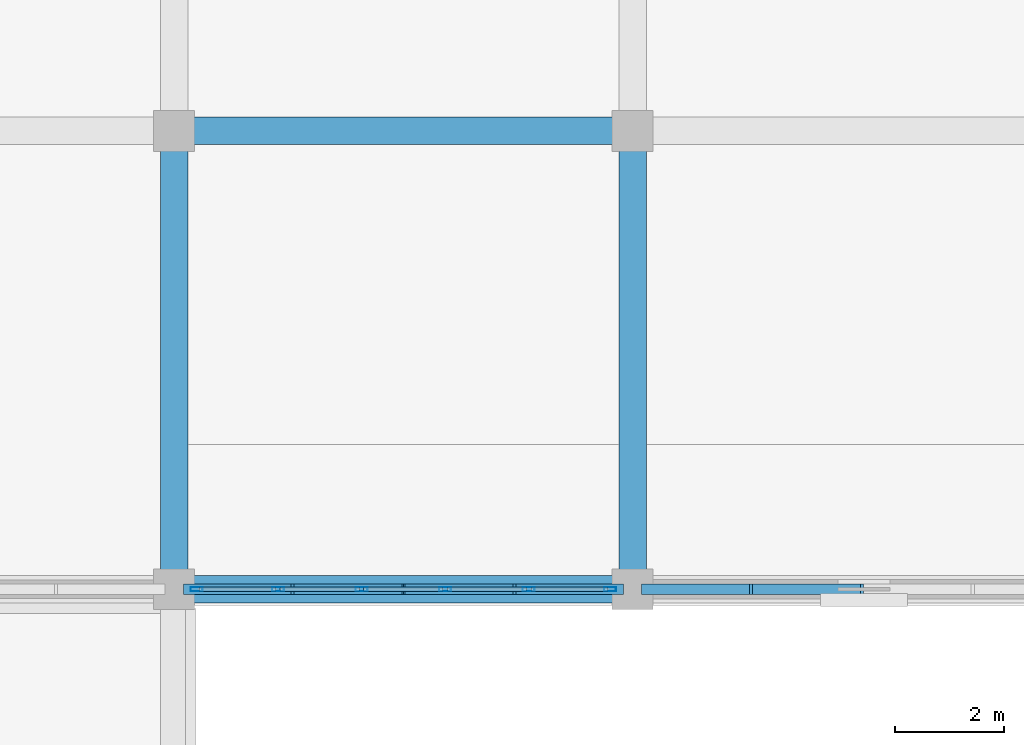
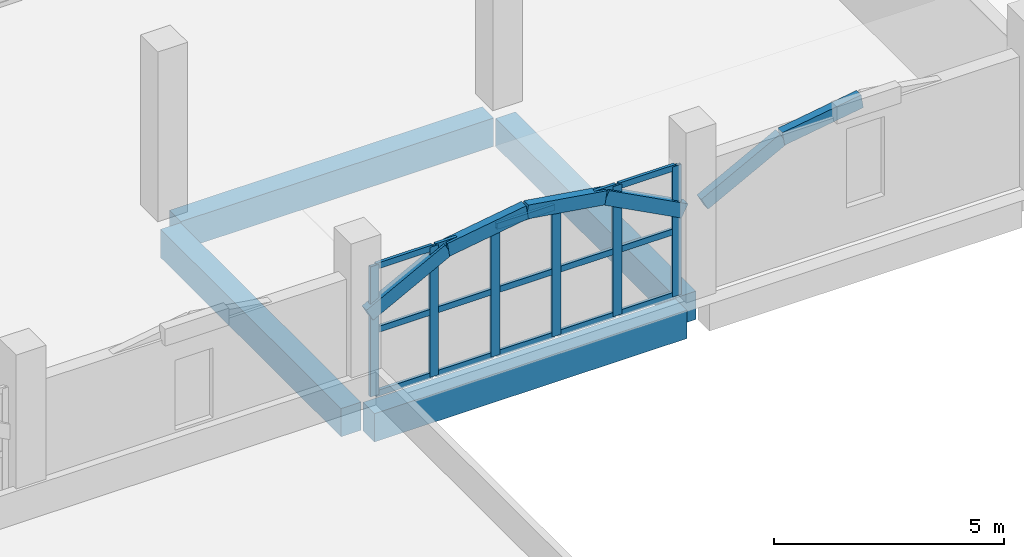
# One storey, part 48 of 114: 27 members, 4 beams, 1 element without a shape of its own.
"""IFC4 building model written with IfcOpenShell, lengths in metres."""

from ifc_helpers import new_model, si_unit, direction, frame, origin, origin_2d, place, context, subcontext, project, spatial, rectangle, hollow_rectangle, extrude, material, layer, layer_set, material_profile, profile_set, type_object, element, aggregate, save


model = new_model("IFC4")

# Units and contexts
model_context = context("Model", 3, precision=1e-05, world=origin(), true_north=direction((0.0, 1.0)))
body_context = subcontext(model_context, "Body", "Model", "MODEL_VIEW")
ifc_project = project(units=[si_unit("LENGTHUNIT", "METRE"), si_unit("AREAUNIT", "SQUARE_METRE"), si_unit("VOLUMEUNIT", "CUBIC_METRE"), si_unit("PLANEANGLEUNIT", "RADIAN"), si_unit("MASSUNIT", "GRAM", prefix="KILO")], contexts=[model_context])

# Site, building, storey
site_placement = place(None, origin())
site = spatial("IfcSite", under=ifc_project, at=site_placement, CompositionType="ELEMENT")
building_placement = place(site_placement, origin())
building = spatial("IfcBuilding", under=site, at=building_placement, Name="Xazarin Passage Department Store", CompositionType="ELEMENT")
storey_placement = place(building_placement, frame((0.0, 0.0, 14.39990234375)))
storey = spatial("IfcBuildingStorey", under=building, at=storey_placement, Name="L03", CompositionType="ELEMENT", Elevation=14.39990234375)

# Curtain wall, members
ifc_material_1 = material(Name="Bronze anodised aluminium", Category="aluminium")
ifc_layer = layer(ifc_material_1, 0.199951171875)
ifc_layer_set = layer_set([ifc_layer], Name="Bronze anodised aluminium")
curtain_wall_type = type_object("IfcCurtainWallType", Name="ARC-CW-VIT2", PredefinedType="NOTDEFINED", material=ifc_layer_set)
curtain_wall_placement = place(storey_placement, origin())
curtain_wall = element("IfcCurtainWall", 1, at=curtain_wall_placement, inside=storey, type_object=curtain_wall_type, Name="L03 V1 Curtain Wall 058", PredefinedType="NOTDEFINED")
ifc_material_profile_1 = material_profile(ifc_material_1, hollow_rectangle(XDim=0.074951171875, YDim=0.219970703125, WallThickness=0.0048828125, at=origin_2d()), Name="ALU 75x220")
ifc_profile_set_1 = profile_set([ifc_material_profile_1], Name="Bronze anodised aluminium")
member_type_1 = type_object("IfcMemberType", Name="ARC-CWM-75x220", PredefinedType="MULLION", material=ifc_profile_set_1)
member_1_placement = place(storey_placement, frame((50.8125, 68.0, 0.0), z_axis=(0.0, 0.0, 1.0), x_axis=(0.0, 1.0, 0.0)))
member_1 = element("IfcMember", 2, at=member_1_placement, type_object=member_type_1, Name="CW2 mullion 1", PredefinedType="MULLION", context=body_context, shape_type="SweptSolid", body=[
    extrude(hollow_rectangle(XDim=0.074951171875, YDim=0.219970703125, WallThickness=0.0048828125, at=origin_2d()), origin(), (0.0, 0.0, 1.0), 3.4501953125),
])
member_2_placement = place(storey_placement, frame((52.304931640625, 68.0, 0.0), z_axis=(0.0, 0.0, 1.0), x_axis=(0.0, 1.0, 0.0)))
member_2 = element("IfcMember", 3, at=member_2_placement, type_object=member_type_1, Name="CW2 mullion 2", PredefinedType="MULLION", context=body_context, shape_type="SweptSolid", body=[
    extrude(hollow_rectangle(XDim=0.074951171875, YDim=0.219970703125, WallThickness=0.0048828125, at=origin_2d()), origin(), (0.0, 0.0, 1.0), 3.4501953125),
])
member_3_placement = place(storey_placement, frame((53.8349609375, 68.0, 0.0), z_axis=(0.0, 0.0, 1.0), x_axis=(0.0, 1.0, 0.0)))
member_3 = element("IfcMember", 4, at=member_3_placement, type_object=member_type_1, Name="CW2 mullion 3", PredefinedType="MULLION", context=body_context, shape_type="SweptSolid", body=[
    extrude(hollow_rectangle(XDim=0.074951171875, YDim=0.219970703125, WallThickness=0.0048828125, at=origin_2d()), origin(), (0.0, 0.0, 1.0), 3.4501953125),
])
member_4_placement = place(storey_placement, frame((55.364990234375, 68.0, 0.0), z_axis=(0.0, 0.0, 1.0), x_axis=(0.0, 1.0, 0.0)))
member_4 = element("IfcMember", 5, at=member_4_placement, type_object=member_type_1, Name="CW2 mullion 4", PredefinedType="MULLION", context=body_context, shape_type="SweptSolid", body=[
    extrude(hollow_rectangle(XDim=0.074951171875, YDim=0.219970703125, WallThickness=0.0048828125, at=origin_2d()), origin(), (0.0, 0.0, 1.0), 3.4501953125),
])
member_5_placement = place(storey_placement, frame((56.89501953125, 68.0, 0.0), z_axis=(0.0, 0.0, 1.0), x_axis=(0.0, 1.0, 0.0)))
member_5 = element("IfcMember", 6, at=member_5_placement, type_object=member_type_1, Name="CW2 mullion 5", PredefinedType="MULLION", context=body_context, shape_type="SweptSolid", body=[
    extrude(hollow_rectangle(XDim=0.074951171875, YDim=0.219970703125, WallThickness=0.0048828125, at=origin_2d()), origin(), (0.0, 0.0, 1.0), 3.4501953125),
])
member_6_placement = place(storey_placement, frame((58.387451171875, 68.0, 0.0), z_axis=(0.0, 0.0, 1.0), x_axis=(0.0, 1.0, 0.0)))
member_6 = element("IfcMember", 7, at=member_6_placement, type_object=member_type_1, Name="CW2 mullion 6", PredefinedType="MULLION", context=body_context, shape_type="SweptSolid", body=[
    extrude(hollow_rectangle(XDim=0.074951171875, YDim=0.219970703125, WallThickness=0.0048828125, at=origin_2d()), origin(), (0.0, 0.0, 1.0), 3.4501953125),
])
ifc_material_profile_2 = material_profile(ifc_material_1, hollow_rectangle(XDim=0.074951171875, YDim=0.159912109375, WallThickness=0.00439453125, at=origin_2d()), Name="ALU 75x160")
ifc_profile_set_2 = profile_set([ifc_material_profile_2], Name="Bronze anodised aluminium")
member_type_2 = type_object("IfcMemberType", Name="ARC-CWT-75x160", PredefinedType="USERDEFINED", material=ifc_profile_set_2)
member_7_placement = place(storey_placement, frame((50.85009765625, 68.0, 0.03759765625), z_axis=(1.0, 0.0, 0.0), x_axis=(0.0, 1.0, 0.0)))
member_7 = element("IfcMember", 8, at=member_7_placement, type_object=member_type_2, Name="CW2 transom 1.1", ObjectType="TRANSOM", PredefinedType="USERDEFINED", context=body_context, shape_type="SweptSolid", body=[
    extrude(hollow_rectangle(XDim=0.074951171875, YDim=0.159912109375, WallThickness=0.00439453125, at=origin_2d()), origin(), (0.0, 0.0, 1.0), 1.41748046875),
])
member_8_placement = place(storey_placement, frame((50.85009765625, 68.0, 1.72509765625), z_axis=(1.0, 0.0, 0.0), x_axis=(0.0, 1.0, 0.0)))
member_8 = element("IfcMember", 9, at=member_8_placement, type_object=member_type_2, Name="CW2 transom 1.2", ObjectType="TRANSOM", PredefinedType="USERDEFINED", context=body_context, shape_type="SweptSolid", body=[
    extrude(hollow_rectangle(XDim=0.074951171875, YDim=0.159912109375, WallThickness=0.00439453125, at=origin_2d()), origin(), (0.0, 0.0, 1.0), 1.41748046875),
])
member_9_placement = place(storey_placement, frame((50.85009765625, 68.0, 3.41259765625), z_axis=(1.0, 0.0, 0.0), x_axis=(0.0, 1.0, 0.0)))
member_9 = element("IfcMember", 10, at=member_9_placement, type_object=member_type_2, Name="CW2 transom 1.3", ObjectType="TRANSOM", PredefinedType="USERDEFINED", context=body_context, shape_type="SweptSolid", body=[
    extrude(hollow_rectangle(XDim=0.074951171875, YDim=0.159912109375, WallThickness=0.00439453125, at=origin_2d()), origin(), (0.0, 0.0, 1.0), 1.41748046875),
])
member_10_placement = place(storey_placement, frame((52.342529296875, 68.0, 0.03759765625), z_axis=(1.0, 0.0, 0.0), x_axis=(0.0, 1.0, 0.0)))
member_10 = element("IfcMember", 11, at=member_10_placement, type_object=member_type_2, Name="CW2 transom 2.1", ObjectType="TRANSOM", PredefinedType="USERDEFINED", context=body_context, shape_type="SweptSolid", body=[
    extrude(hollow_rectangle(XDim=0.074951171875, YDim=0.159912109375, WallThickness=0.00439453125, at=origin_2d()), origin(), (0.0, 0.0, 1.0), 1.455078125),
])
member_11_placement = place(storey_placement, frame((52.342529296875, 68.0, 1.72509765625), z_axis=(1.0, 0.0, 0.0), x_axis=(0.0, 1.0, 0.0)))
member_11 = element("IfcMember", 12, at=member_11_placement, type_object=member_type_2, Name="CW2 transom 2.2", ObjectType="TRANSOM", PredefinedType="USERDEFINED", context=body_context, shape_type="SweptSolid", body=[
    extrude(hollow_rectangle(XDim=0.074951171875, YDim=0.159912109375, WallThickness=0.00439453125, at=origin_2d()), origin(), (0.0, 0.0, 1.0), 1.455078125),
])
member_12_placement = place(storey_placement, frame((52.342529296875, 68.0, 3.41259765625), z_axis=(1.0, 0.0, 0.0), x_axis=(0.0, 1.0, 0.0)))
member_12 = element("IfcMember", 13, at=member_12_placement, type_object=member_type_2, Name="CW2 transom 2.3", ObjectType="TRANSOM", PredefinedType="USERDEFINED", context=body_context, shape_type="SweptSolid", body=[
    extrude(hollow_rectangle(XDim=0.074951171875, YDim=0.159912109375, WallThickness=0.00439453125, at=origin_2d()), origin(), (0.0, 0.0, 1.0), 1.455078125),
])
member_13_placement = place(storey_placement, frame((53.87255859375, 68.0, 0.03759765625), z_axis=(1.0, 0.0, 0.0), x_axis=(0.0, 1.0, 0.0)))
member_13 = element("IfcMember", 14, at=member_13_placement, type_object=member_type_2, Name="CW2 transom 3.1", ObjectType="TRANSOM", PredefinedType="USERDEFINED", context=body_context, shape_type="SweptSolid", body=[
    extrude(hollow_rectangle(XDim=0.074951171875, YDim=0.159912109375, WallThickness=0.00439453125, at=origin_2d()), origin(), (0.0, 0.0, 1.0), 1.454833984375),
])
member_14_placement = place(storey_placement, frame((53.87255859375, 68.0, 1.72509765625), z_axis=(1.0, 0.0, 0.0), x_axis=(0.0, 1.0, 0.0)))
member_14 = element("IfcMember", 15, at=member_14_placement, type_object=member_type_2, Name="CW2 transom 3.2", ObjectType="TRANSOM", PredefinedType="USERDEFINED", context=body_context, shape_type="SweptSolid", body=[
    extrude(hollow_rectangle(XDim=0.074951171875, YDim=0.159912109375, WallThickness=0.00439453125, at=origin_2d()), origin(), (0.0, 0.0, 1.0), 1.454833984375),
])
member_15_placement = place(storey_placement, frame((53.87255859375, 68.0, 3.41259765625), z_axis=(1.0, 0.0, 0.0), x_axis=(0.0, 1.0, 0.0)))
member_15 = element("IfcMember", 16, at=member_15_placement, type_object=member_type_2, Name="CW2 transom 3.3", ObjectType="TRANSOM", PredefinedType="USERDEFINED", context=body_context, shape_type="SweptSolid", body=[
    extrude(hollow_rectangle(XDim=0.074951171875, YDim=0.159912109375, WallThickness=0.00439453125, at=origin_2d()), origin(), (0.0, 0.0, 1.0), 1.454833984375),
])
member_16_placement = place(storey_placement, frame((55.402587890625, 68.0, 0.03759765625), z_axis=(1.0, 0.0, 0.0), x_axis=(0.0, 1.0, 0.0)))
member_16 = element("IfcMember", 17, at=member_16_placement, type_object=member_type_2, Name="CW2 transom 4.1", ObjectType="TRANSOM", PredefinedType="USERDEFINED", context=body_context, shape_type="SweptSolid", body=[
    extrude(hollow_rectangle(XDim=0.074951171875, YDim=0.159912109375, WallThickness=0.00439453125, at=origin_2d()), origin(), (0.0, 0.0, 1.0), 1.454833984375),
])
member_17_placement = place(storey_placement, frame((55.402587890625, 68.0, 1.72509765625), z_axis=(1.0, 0.0, 0.0), x_axis=(0.0, 1.0, 0.0)))
member_17 = element("IfcMember", 18, at=member_17_placement, type_object=member_type_2, Name="CW2 transom 4.2", ObjectType="TRANSOM", PredefinedType="USERDEFINED", context=body_context, shape_type="SweptSolid", body=[
    extrude(hollow_rectangle(XDim=0.074951171875, YDim=0.159912109375, WallThickness=0.00439453125, at=origin_2d()), origin(), (0.0, 0.0, 1.0), 1.454833984375),
])
member_18_placement = place(storey_placement, frame((55.402587890625, 68.0, 3.41259765625), z_axis=(1.0, 0.0, 0.0), x_axis=(0.0, 1.0, 0.0)))
member_18 = element("IfcMember", 19, at=member_18_placement, type_object=member_type_2, Name="CW2 transom 4.3", ObjectType="TRANSOM", PredefinedType="USERDEFINED", context=body_context, shape_type="SweptSolid", body=[
    extrude(hollow_rectangle(XDim=0.074951171875, YDim=0.159912109375, WallThickness=0.00439453125, at=origin_2d()), origin(), (0.0, 0.0, 1.0), 1.454833984375),
])
member_19_placement = place(storey_placement, frame((56.9326171875, 68.0, 0.03759765625), z_axis=(1.0, 0.0, 0.0), x_axis=(0.0, 1.0, 0.0)))
member_19 = element("IfcMember", 20, at=member_19_placement, type_object=member_type_2, Name="CW2 transom 5.1", ObjectType="TRANSOM", PredefinedType="USERDEFINED", context=body_context, shape_type="SweptSolid", body=[
    extrude(hollow_rectangle(XDim=0.074951171875, YDim=0.159912109375, WallThickness=0.00439453125, at=origin_2d()), origin(), (0.0, 0.0, 1.0), 1.41748046875),
])
member_20_placement = place(storey_placement, frame((56.9326171875, 68.0, 1.72509765625), z_axis=(1.0, 0.0, 0.0), x_axis=(0.0, 1.0, 0.0)))
member_20 = element("IfcMember", 21, at=member_20_placement, type_object=member_type_2, Name="CW2 transom 5.2", ObjectType="TRANSOM", PredefinedType="USERDEFINED", context=body_context, shape_type="SweptSolid", body=[
    extrude(hollow_rectangle(XDim=0.074951171875, YDim=0.159912109375, WallThickness=0.00439453125, at=origin_2d()), origin(), (0.0, 0.0, 1.0), 1.41748046875),
])
member_21_placement = place(storey_placement, frame((56.9326171875, 68.0, 3.41259765625), z_axis=(1.0, 0.0, 0.0), x_axis=(0.0, 1.0, 0.0)))
member_21 = element("IfcMember", 22, at=member_21_placement, type_object=member_type_2, Name="CW2 transom 5.3", ObjectType="TRANSOM", PredefinedType="USERDEFINED", context=body_context, shape_type="SweptSolid", body=[
    extrude(hollow_rectangle(XDim=0.074951171875, YDim=0.159912109375, WallThickness=0.00439453125, at=origin_2d()), origin(), (0.0, 0.0, 1.0), 1.41748046875),
])
aggregate(curtain_wall, [member_1, member_2, member_3, member_4, member_5, member_6, member_7, member_8, member_9, member_10, member_11, member_12, member_13, member_14, member_15, member_16, member_17, member_18, member_19, member_20, member_21])

# Beams
ifc_material_2 = material(Name="Concrete C35/45", Category="concrete")
ifc_material_profile_3 = material_profile(ifc_material_2, rectangle(XDim=0.5, YDim=0.75, at=origin_2d()), Name="RC 500x750")
ifc_profile_set_3 = profile_set([ifc_material_profile_3], Name="Concrete C35/45")
beam_type = type_object("IfcBeamType", Name="STR-BM-SP500x750", PredefinedType="SPANDREL", material=ifc_profile_set_3)
for number, where, z_axis, x_axis, name in (
    (23, (50.679931640625, 68.0, -0.6748046875), (1.0, 0.0, 0.0), (0.0, 1.0, 0.0), "L03 Grid Beam K/7-8"),
    (24, (50.679931640625, 76.39990234375, -0.6748046875), (1.0, 0.0, 0.0), (0.0, 1.0, 0.0), "L03 Grid Beam L/7-8"),
    (25, (50.39990234375, 68.280029296875, -0.6748046875), (0.0, 1.0, 0.0), (-1.0, 0.0, 0.0), "L03 Grid Beam 7/K-L"),
    (26, (58.800048828125, 68.280029296875, -0.6748046875), (0.0, 1.0, 0.0), (-1.0, 0.0, 0.0), "L03 Grid Beam 8/K-L"),
):
    element("IfcBeam", number, at=place(storey_placement, frame(where, z_axis=z_axis, x_axis=x_axis)), inside=storey, type_object=beam_type, Name=name, PredefinedType="SPANDREL", context=body_context, shape_type="SweptSolid", body=[
        extrude(rectangle(XDim=0.5, YDim=0.75, at=origin_2d()), origin(), (0.0, 0.0, 1.0), 7.840087890625),
    ])

# Members
ifc_material_3 = material(Name="Concrete C40/50", Category="concrete")
ifc_material_profile_4 = material_profile(ifc_material_3, rectangle(XDim=0.199951171875, YDim=0.360107421875, at=origin_2d()), Name="RC 200x360")
ifc_profile_set_4 = profile_set([ifc_material_profile_4], Name="Concrete C40/50")
member_type_3 = type_object("IfcMemberType", Name="STR-MEM-ARC360", PredefinedType="CHORD", material=ifc_profile_set_4)
member_22_placement = place(storey_placement, frame((50.64990234375, 68.0, 2.22998046875), z_axis=(0.88473311603, 0.0, 0.466097965454), x_axis=(0.0, 1.0, 0.0)))
element("IfcMember", 27, at=member_22_placement, inside=storey, type_object=member_type_3, Name="L03 V1 Upper Setback Pierced Arch 018.1", PredefinedType="CHORD", context=body_context, shape_type="SweptSolid", body=[
    extrude(rectangle(XDim=0.199951171875, YDim=0.360107421875, at=origin_2d()), origin(), (0.0, 0.0, 1.0), 2.232421875),
])
member_23_placement = place(storey_placement, frame((52.625, 68.0, 3.2705078125), z_axis=(0.987938581312, 0.0, 0.154846244883), x_axis=(0.0, 1.0, 0.0)))
element("IfcMember", 28, at=member_23_placement, inside=storey, type_object=member_type_3, Name="L03 V1 Upper Setback Pierced Arch 018.2", PredefinedType="CHORD", context=body_context, shape_type="SweptSolid", body=[
    extrude(rectangle(XDim=0.199951171875, YDim=0.360107421875, at=origin_2d()), origin(), (0.0, 0.0, 1.0), 1.999267578125),
])
member_24_placement = place(storey_placement, frame((54.60009765625, 68.0, 3.580078125), z_axis=(0.987935652704, 0.0, -0.154864928623), x_axis=(0.0, 1.0, 0.0)))
element("IfcMember", 29, at=member_24_placement, inside=storey, type_object=member_type_3, Name="L03 V1 Upper Setback Pierced Arch 018.3", PredefinedType="CHORD", context=body_context, shape_type="SweptSolid", body=[
    extrude(rectangle(XDim=0.199951171875, YDim=0.360107421875, at=origin_2d()), origin(), (0.0, 0.0, 1.0), 1.9990234375),
])
member_25_placement = place(storey_placement, frame((56.574951171875, 68.0, 3.2705078125), z_axis=(0.88473311603, 0.0, -0.466097965454), x_axis=(0.0, 1.0, 0.0)))
element("IfcMember", 30, at=member_25_placement, inside=storey, type_object=member_type_3, Name="L03 V1 Upper Setback Pierced Arch 018.4", PredefinedType="CHORD", context=body_context, shape_type="SweptSolid", body=[
    extrude(rectangle(XDim=0.199951171875, YDim=0.360107421875, at=origin_2d()), origin(), (0.0, 0.0, 1.0), 2.232421875),
])
member_26_placement = place(storey_placement, frame((59.050048828125, 68.0, 2.22998046875), z_axis=(0.884709354127, 0.0, 0.466143066793), x_axis=(0.0, 1.0, 0.0)))
element("IfcMember", 31, at=member_26_placement, inside=storey, type_object=member_type_3, Name="L03 V1 Upper Setback Pierced Arch 019.1", PredefinedType="CHORD", context=body_context, shape_type="SweptSolid", body=[
    extrude(rectangle(XDim=0.199951171875, YDim=0.360107421875, at=origin_2d()), origin(), (0.0, 0.0, 1.0), 2.232177734375),
])
member_27_placement = place(storey_placement, frame((61.02490234375, 68.0, 3.2705078125), z_axis=(0.987938581312, 0.0, 0.154846244883), x_axis=(0.0, 1.0, 0.0)))
element("IfcMember", 32, at=member_27_placement, inside=storey, type_object=member_type_3, Name="L03 V1 Upper Setback Pierced Arch 019.2", PredefinedType="CHORD", context=body_context, shape_type="SweptSolid", body=[
    extrude(rectangle(XDim=0.199951171875, YDim=0.360107421875, at=origin_2d()), origin(), (0.0, 0.0, 1.0), 1.999267578125),
])

save(model, "model.ifc")
